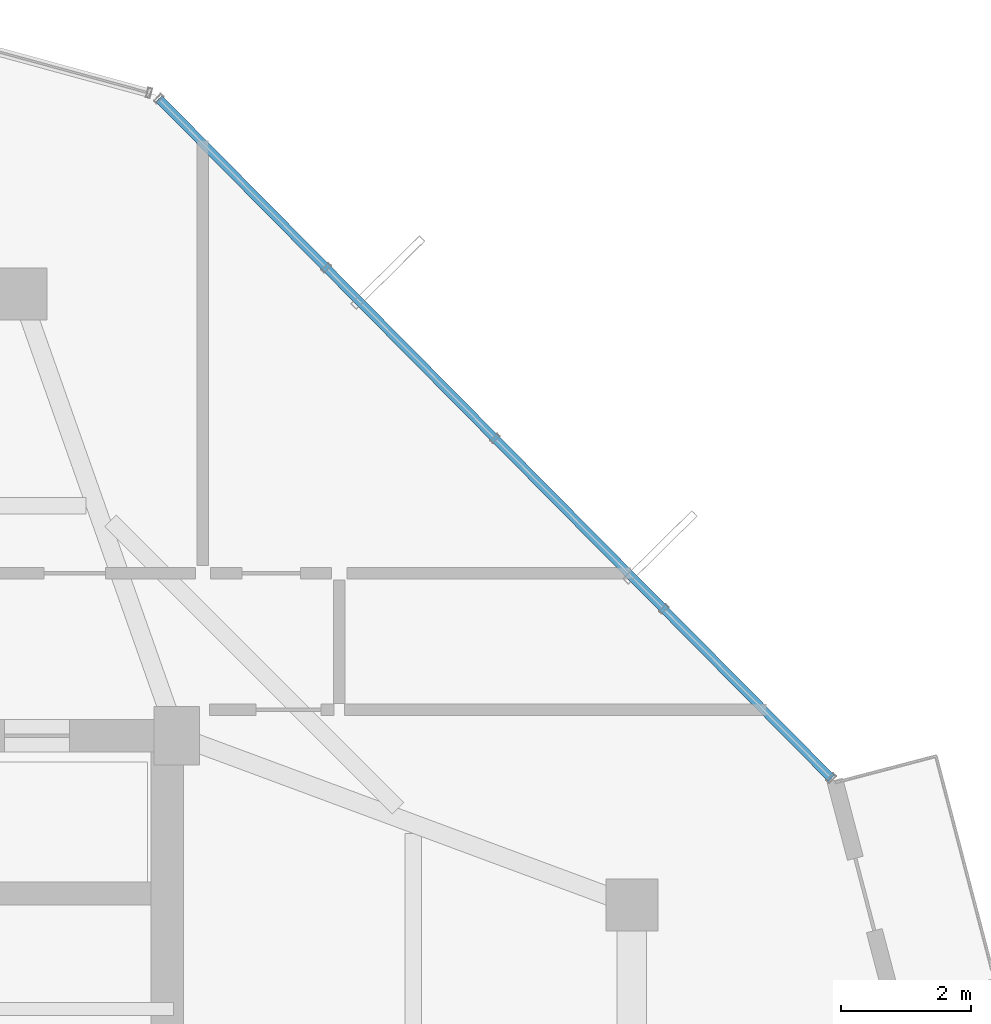
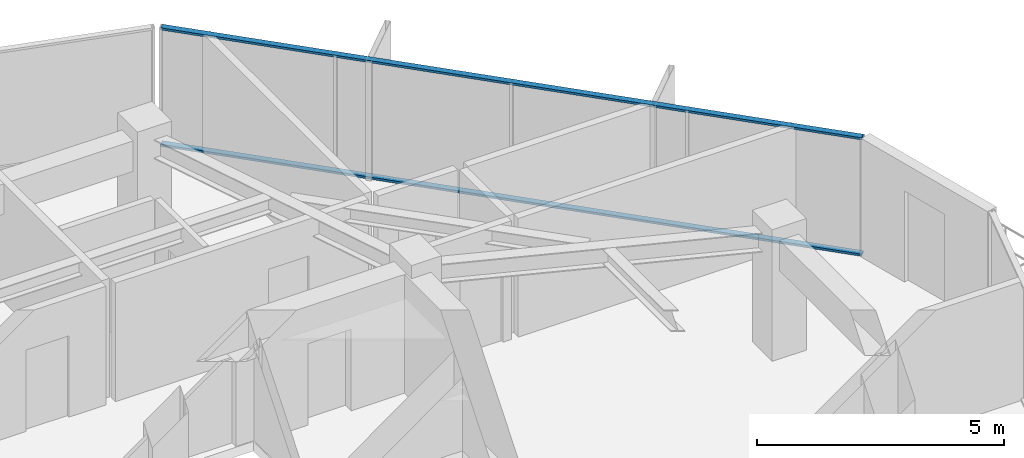
# One storey, part 17 of 29: 2 members, 1 element without a shape of its own.
"""IFC4 building model written with IfcOpenShell, lengths in metres."""

from ifc_helpers import new_model, si_unit, direction, frame, origin, origin_2d, place, context, subcontext, project, spatial, hollow_rectangle, extrude, source, transform, mapped, material, layer, layer_set, material_profile, profile_set, type_object, element, aggregate, save


model = new_model("IFC4")

# Units and contexts
model_context = context("Model", 3, precision=1e-05, world=origin(), true_north=direction((0.0, 1.0)))
body_context = subcontext(model_context, "Body", "Model", "MODEL_VIEW")
ifc_project = project(units=[si_unit("LENGTHUNIT", "METRE"), si_unit("AREAUNIT", "SQUARE_METRE"), si_unit("VOLUMEUNIT", "CUBIC_METRE"), si_unit("PLANEANGLEUNIT", "RADIAN"), si_unit("MASSUNIT", "GRAM", prefix="KILO")], contexts=[model_context])

# Site, building, storey
site_placement = place(None, origin())
site = spatial("IfcSite", under=ifc_project, at=site_placement, CompositionType="ELEMENT")
building_placement = place(site_placement, origin())
building = spatial("IfcBuilding", under=site, at=building_placement, Name="Veraguas Prism Commons", CompositionType="ELEMENT")
storey_placement = place(building_placement, frame((0.0, 0.0, 261.0)))
storey = spatial("IfcBuildingStorey", under=building, at=storey_placement, Name="L74", CompositionType="ELEMENT", Elevation=261.0)

# Curtain wall, members
ifc_material = material(Name="Anodised aluminium EN AW-6063 T6", Category="aluminium")
ifc_layer = layer(ifc_material, 0.14990234375, Name="Unitised Flush Curtain Wall Zone 4", Category="aluminium")
ifc_layer_set = layer_set([ifc_layer], Name="Anodised aluminium EN AW-6063 T6")
curtain_wall_type = type_object("IfcCurtainWallType", Name="Unitised Flush Curtain Wall Zone 4", PredefinedType="NOTDEFINED", material=ifc_layer_set)
curtain_wall_placement = place(storey_placement, origin())
curtain_wall = element("IfcCurtainWall", 1, at=curtain_wall_placement, inside=storey, type_object=curtain_wall_type, Name="Tower Facade Curtain Wall L74-F1", PredefinedType="NOTDEFINED")
ifc_material_profile = material_profile(ifc_material, hollow_rectangle(XDim=0.054931640625, YDim=0.135009765625, WallThickness=0.0029296875, at=origin_2d()), Name="AL55X135X3")
ifc_profile_set = profile_set([ifc_material_profile], Name="Anodised aluminium EN AW-6063 T6")
member_type = type_object("IfcMemberType", Name="Curtain Wall Transom Standard AL 55x135x3", PredefinedType="USERDEFINED", material=ifc_profile_set)
shared_shape = source(origin(), body_context, "Body", "SweptSolid", [
    extrude(hollow_rectangle(XDim=0.054931640625, YDim=0.135009765625, WallThickness=0.0029296875, at=origin_2d()), origin(), (0.0, 0.0, 1.0), 14.706298828125),
])
member_1_placement = place(storey_placement, frame((40.867919921875, 30.347412109375, 0.027587890625), z_axis=(-0.703386710821, 0.710807382517, 0.0), x_axis=(0.0, 0.0, 1.0)))
member_1 = element("IfcMember", 2, at=member_1_placement, type_object=member_type, Name="CW-Z4 Transom 1", ObjectType="TRANSOM", PredefinedType="USERDEFINED", context=body_context, shape_type="MappedRepresentation", body=[
    mapped(shared_shape, transform((0.0, 0.0, 0.0), scale=1.0)),
])
member_2_placement = place(storey_placement, frame((40.867919921875, 30.347412109375, 2.902587890625), z_axis=(-0.703386710821, 0.710807382517, 0.0), x_axis=(0.0, 0.0, 1.0)))
member_2 = element("IfcMember", 3, at=member_2_placement, type_object=member_type, Name="CW-Z4 Transom 2", ObjectType="TRANSOM", PredefinedType="USERDEFINED", context=body_context, shape_type="MappedRepresentation", body=[
    mapped(shared_shape, transform((0.0, 0.0, 0.0), scale=1.0)),
])
aggregate(curtain_wall, [member_1, member_2])

save(model, "model.ifc")
